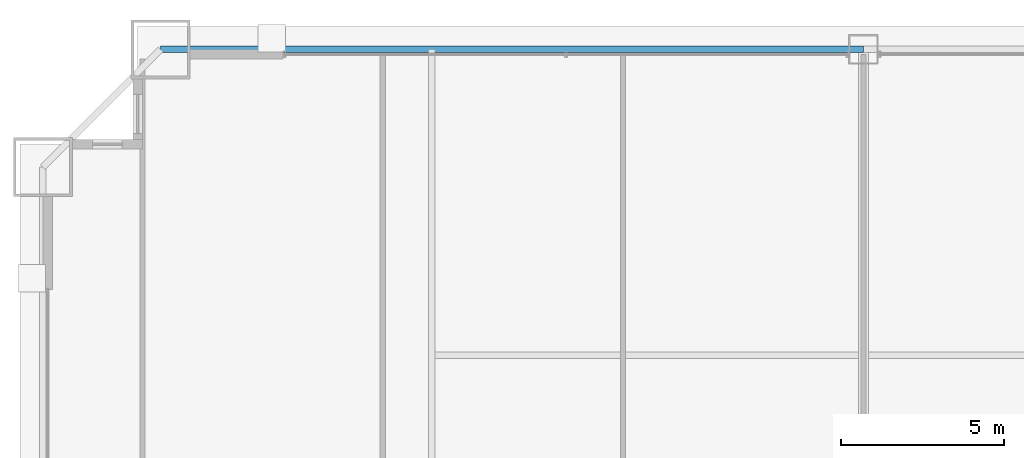
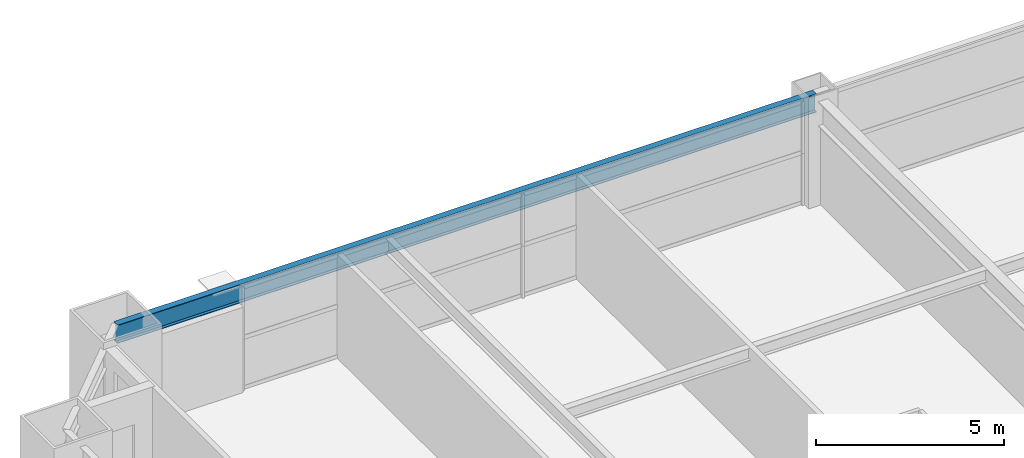
# One storey, part 28 of 45: 1 beam.
"""IFC4 building model written with IfcOpenShell, lengths in metres."""

from ifc_helpers import new_model, si_unit, direction, frame, origin, origin_2d, place, context, subcontext, project, spatial, i_section, extrude, source, transform, mapped, material, material_profile, profile_set, type_object, element, save


model = new_model("IFC4")

# Units and contexts
model_context = context("Model", 3, precision=1e-05, world=origin(), true_north=direction((0.0, 1.0)))
body_context = subcontext(model_context, "Body", "Model", "MODEL_VIEW")
ifc_project = project(units=[si_unit("LENGTHUNIT", "METRE"), si_unit("AREAUNIT", "SQUARE_METRE"), si_unit("VOLUMEUNIT", "CUBIC_METRE"), si_unit("PLANEANGLEUNIT", "RADIAN"), si_unit("MASSUNIT", "GRAM", prefix="KILO"), si_unit("THERMODYNAMICTEMPERATUREUNIT", "KELVIN"), si_unit("POWERUNIT", "WATT")], contexts=[model_context])

# Site, building, storey
site_placement = place(None, origin())
site = spatial("IfcSite", under=ifc_project, at=site_placement, CompositionType="ELEMENT")
building_placement = place(site_placement, origin())
building = spatial("IfcBuilding", under=site, at=building_placement, Name="Yuzanri Waterfront Tower", CompositionType="ELEMENT")
storey_placement = place(building_placement, frame((0.0, 0.0, 34.199951171875)))
storey = spatial("IfcBuildingStorey", under=building, at=storey_placement, Name="L08", CompositionType="ELEMENT", Elevation=34.199951171875)

# Beam
ifc_material = material(Name="Steel Q355B", Category="steel")
ifc_material_profile = material_profile(ifc_material, i_section(OverallWidth=0.199951171875, OverallDepth=0.60009765625, WebThickness=0.010986328125, FlangeThickness=0.01708984375, at=origin_2d()), Name="HN 600x200x11x17")
ifc_profile_set = profile_set([ifc_material_profile], Name="Steel Q355B")
beam_type = type_object("IfcBeamType", Name="Perimeter Spandrel Q355B HN 600x200", PredefinedType="SPANDREL", material=ifc_profile_set)
shared_shape = source(origin(), body_context, "Body", "SweptSolid", [
    extrude(i_section(OverallWidth=0.199951171875, OverallDepth=0.60009765625, WebThickness=0.010986328125, FlangeThickness=0.01708984375, at=origin_2d()), origin(), (0.0, 0.0, 1.0), 21.5),
])
beam_placement = place(storey_placement, frame((37.0, 50.89990234375, 3.080078125), z_axis=(-1.0, 0.0, 0.0), x_axis=(0.0, -1.0, 0.0)))
element("IfcBeam", 1, at=beam_placement, inside=storey, type_object=beam_type, Name="L08 Perimeter Spandrel N2-N1", PredefinedType="SPANDREL", context=body_context, shape_type="MappedRepresentation", body=[
    mapped(shared_shape, transform((0.0, 0.0, 0.0), scale=1.0)),
])

save(model, "model.ifc")
